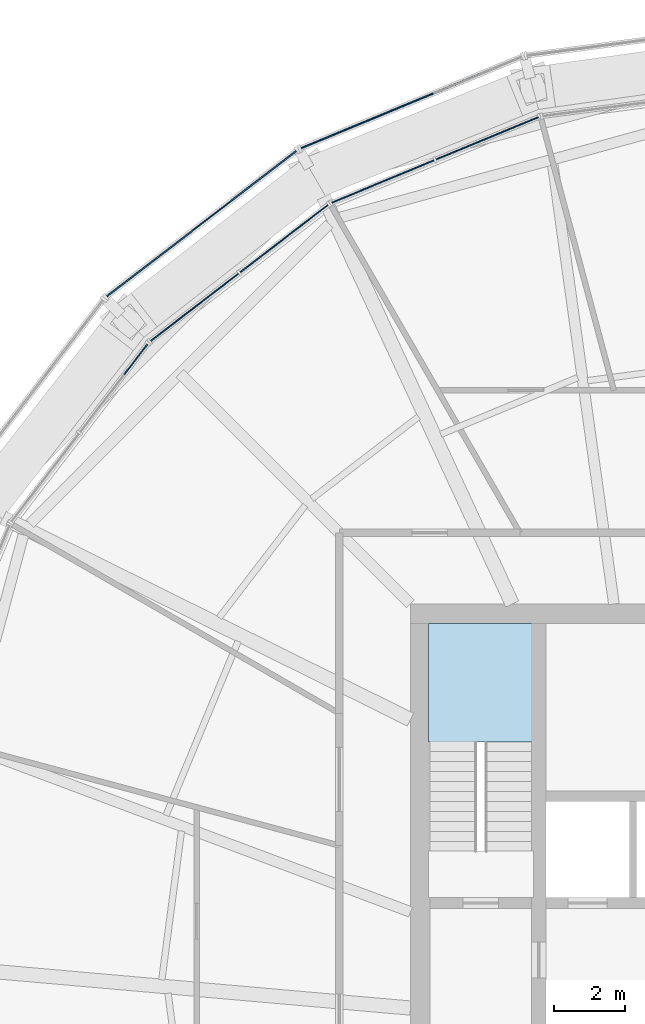
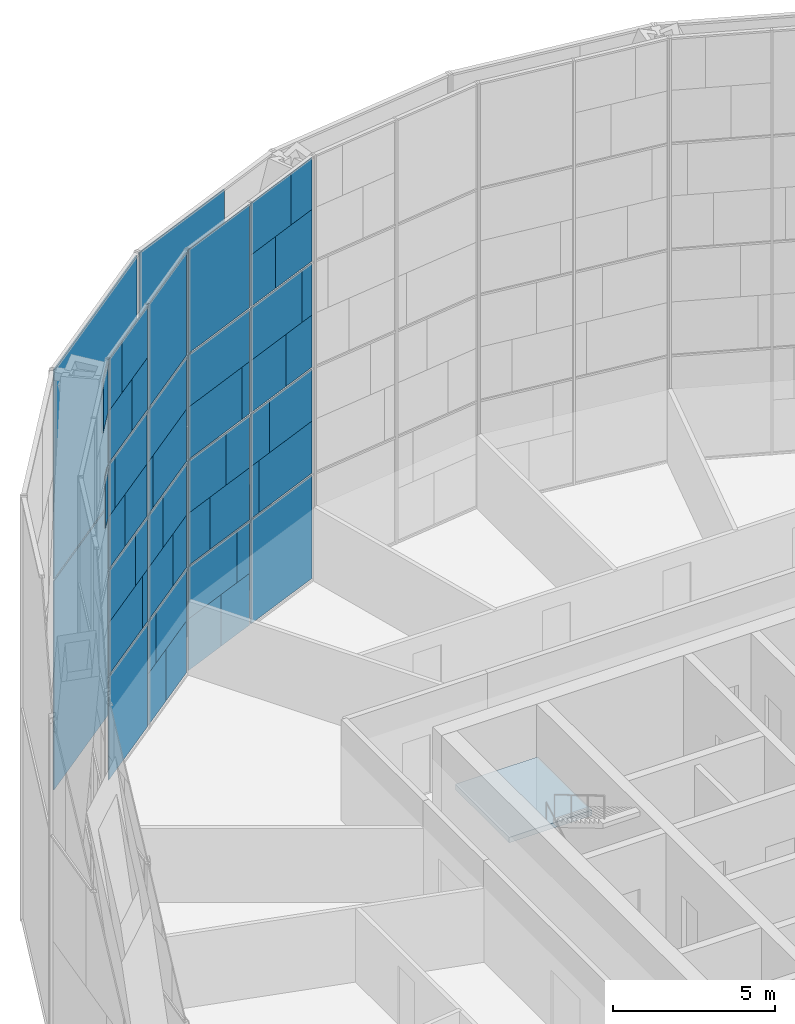
# One storey, part 22 of 29: 60 plates, 1 slab, 6 elements without a shape of their own.
"""IFC4 building model written with IfcOpenShell, lengths in metres."""

from ifc_helpers import new_model, si_unit, direction, frame, origin, origin_2d, place, context, subcontext, project, spatial, polyline, rectangle, outline, extrude, material, layer, layer_set, type_object, element, aggregate, save


model = new_model("IFC4")

# Units and contexts
model_context = context("Model", 3, precision=1e-05, world=origin(), true_north=direction((0.0, 1.0)))
body_context = subcontext(model_context, "Body", "Model", "MODEL_VIEW")
ifc_project = project(units=[si_unit("LENGTHUNIT", "METRE"), si_unit("AREAUNIT", "SQUARE_METRE"), si_unit("VOLUMEUNIT", "CUBIC_METRE"), si_unit("PLANEANGLEUNIT", "RADIAN"), si_unit("MASSUNIT", "GRAM", prefix="KILO")], contexts=[model_context])

# Site, building, storey
site_placement = place(None, origin())
site = spatial("IfcSite", under=ifc_project, at=site_placement, CompositionType="ELEMENT")
building_placement = place(site_placement, origin())
building = spatial("IfcBuilding", under=site, at=building_placement, Name="Golbaran Civic Tower", CompositionType="ELEMENT")
storey_placement = place(building_placement, frame((0.0, 0.0, 118.0)))
storey = spatial("IfcBuildingStorey", under=building, at=storey_placement, Name="L28", CompositionType="ELEMENT", Elevation=118.0)

# Curtain wall, plates
ifc_material_1 = material(Name="Aluminium and glass", Category="aluminium")
curtain_wall_type_1 = type_object("IfcCurtainWallType", Name="INNER SKIN CURTAIN WALL", PredefinedType="NOTDEFINED", material=ifc_material_1)
curtain_wall_1_placement = place(storey_placement, origin())
curtain_wall_1 = element("IfcCurtainWall", 1, at=curtain_wall_1_placement, inside=storey, type_object=curtain_wall_type_1, Name="Inner skin L28 facet 8 CW1", ObjectType="INNER SKIN", PredefinedType="USERDEFINED")
ifc_material_2 = material(Name="Clear insulating glass", Category="glass")
ifc_layer_1 = layer(ifc_material_2, 0.031982421875, Name="Clear insulating glass")
ifc_layer_set_1 = layer_set([ifc_layer_1], Name="Clear insulating glass")
plate_type_1 = type_object("IfcPlateType", Name="INNER SKIN CURTAIN WALL GLAZED PANEL", PredefinedType="CURTAIN_PANEL", material=ifc_layer_set_1)
plate_1_placement = place(storey_placement, frame((-7.84423828125, 23.0791015625, 0.06494140625), z_axis=(0.0, 0.0, 1.0), x_axis=(-0.923879532485, -0.38268343243, 0.0)))
plate_1 = element("IfcPlate", 2, at=plate_1_placement, type_object=plate_type_1, Name="CW1 panel 1.1", PredefinedType="CURTAIN_PANEL", context=body_context, shape_type="SweptSolid", body=[
    extrude(rectangle(XDim=3.104736328125, YDim=0.031982421875, at=origin_2d()), origin(), (0.0, 0.0, 1.0), 3.902587890625),
])
plate_2_placement = place(storey_placement, frame((-7.658447265625, 23.156005859375, 4.03271484375), z_axis=(0.0, 0.0, 1.0), x_axis=(-0.923879532485, -0.38268343243, 0.0)))
plate_2 = element("IfcPlate", 3, at=plate_2_placement, type_object=plate_type_1, Name="CW1 panel 1.2 part 1", PredefinedType="CURTAIN_PANEL", context=body_context, shape_type="SweptSolid", body=[
    extrude(rectangle(XDim=2.702880859375, YDim=0.031982421875, at=origin_2d()), origin(), (0.0, 0.0, 1.0), 1.967529296875),
])
plate_3_placement = place(storey_placement, frame((-7.410400390625, 23.2587890625, 6.0), z_axis=(0.0, 0.0, 1.0), x_axis=(-0.923879532485, -0.38268343243, 0.0)))
plate_3 = element("IfcPlate", 4, at=plate_3_placement, type_object=plate_type_1, Name="CW1 panel 1.2 part 3", PredefinedType="CURTAIN_PANEL", context=body_context, shape_type="SweptSolid", body=[
    extrude(rectangle(XDim=2.166015625, YDim=0.031982421875, at=origin_2d()), origin(), (0.0, 0.0, 1.0), 1.967529296875),
])
plate_4_placement = place(storey_placement, frame((-7.02197265625, 23.419677734375, 8.03271484375), z_axis=(0.0, 0.0, 1.0), x_axis=(-0.923879532485, -0.38268343243, 0.0)))
plate_4 = element("IfcPlate", 5, at=plate_4_placement, type_object=plate_type_1, Name="CW1 panel 1.3 part 1", PredefinedType="CURTAIN_PANEL", context=body_context, shape_type="SweptSolid", body=[
    extrude(rectangle(XDim=1.324951171875, YDim=0.031982421875, at=origin_2d()), origin(), (0.0, 0.0, 1.0), 1.967529296875),
])
plate_5_placement = place(storey_placement, frame((-6.6455078125, 23.57568359375, 10.0), z_axis=(0.0, 0.0, 1.0), x_axis=(-0.923879532485, -0.38268343243, 0.0)))
plate_5 = element("IfcPlate", 6, at=plate_5_placement, type_object=plate_type_1, Name="CW1 panel 1.3 part 3", PredefinedType="CURTAIN_PANEL", context=body_context, shape_type="SweptSolid", body=[
    extrude(rectangle(XDim=0.510009765625, YDim=0.031982421875, at=origin_2d()), origin(), (0.0, 0.0, 1.0), 1.967529296875),
])
plate_6_placement = place(storey_placement, frame((-8.70947265625, 22.720703125, 12.032470703125), z_axis=(0.0, 0.0, 1.0), x_axis=(-0.923879532485, -0.38268343243, 0.0)))
plate_6 = element("IfcPlate", 7, at=plate_6_placement, type_object=plate_type_1, Name="CW1 panel 1.4 part 2", PredefinedType="CURTAIN_PANEL", context=body_context, shape_type="SweptSolid", body=[
    extrude(rectangle(XDim=1.23193359375, YDim=0.031982421875, at=origin_2d()), origin(), (0.0, 0.0, 1.0), 1.951171875),
])
plate_7_placement = place(storey_placement, frame((-8.336181640625, 22.875244140625, 13.98388671875), z_axis=(0.0, 0.0, 1.0), x_axis=(-0.923879532485, -0.38268343243, 0.0)))
plate_7 = element("IfcPlate", 8, at=plate_7_placement, type_object=plate_type_1, Name="CW1 panel 1.4 part 4", PredefinedType="CURTAIN_PANEL", context=body_context, shape_type="SweptSolid", body=[
    extrude(rectangle(XDim=2.039794921875, YDim=0.031982421875, at=origin_2d()), origin(), (0.0, 0.0, 1.0), 1.951171875),
])
plate_8_placement = place(storey_placement, frame((-10.012451171875, 22.180908203125, 0.06494140625), z_axis=(0.0, 0.0, 1.0), x_axis=(-0.923879532485, -0.38268343243, 0.0)))
plate_8 = element("IfcPlate", 9, at=plate_8_placement, type_object=plate_type_1, Name="CW1 panel 2.1 part 1", PredefinedType="CURTAIN_PANEL", context=body_context, shape_type="SweptSolid", body=[
    extrude(rectangle(XDim=1.458984375, YDim=0.031982421875, at=origin_2d()), origin(), (0.0, 0.0, 1.0), 1.951171875),
])
plate_9_placement = place(storey_placement, frame((-9.63916015625, 22.33544921875, 2.016357421875), z_axis=(0.0, 0.0, 1.0), x_axis=(-0.923879532485, -0.38268343243, 0.0)))
plate_9 = element("IfcPlate", 10, at=plate_9_placement, type_object=plate_type_1, Name="CW1 panel 2.1 part 3", PredefinedType="CURTAIN_PANEL", context=body_context, shape_type="SweptSolid", body=[
    extrude(rectangle(XDim=0.65087890625, YDim=0.031982421875, at=origin_2d()), origin(), (0.0, 0.0, 1.0), 1.951171875),
])
plate_10_placement = place(storey_placement, frame((-11.703125, 21.480712890625, 4.03271484375), z_axis=(0.0, 0.0, 1.0), x_axis=(-0.923879532485, -0.38268343243, 0.0)))
plate_10 = element("IfcPlate", 11, at=plate_10_placement, type_object=plate_type_1, Name="CW1 panel 2.2 part 2", PredefinedType="CURTAIN_PANEL", context=body_context, shape_type="SweptSolid", body=[
    extrude(rectangle(XDim=1.0908203125, YDim=0.031982421875, at=origin_2d()), origin(), (0.0, 0.0, 1.0), 1.967529296875),
])
plate_11_placement = place(storey_placement, frame((-11.32666015625, 21.63671875, 6.0), z_axis=(0.0, 0.0, 1.0), x_axis=(-0.923879532485, -0.38268343243, 0.0)))
plate_11 = element("IfcPlate", 12, at=plate_11_placement, type_object=plate_type_1, Name="CW1 panel 2.2 part 4", PredefinedType="CURTAIN_PANEL", context=body_context, shape_type="SweptSolid", body=[
    extrude(rectangle(XDim=1.90576171875, YDim=0.031982421875, at=origin_2d()), origin(), (0.0, 0.0, 1.0), 1.967529296875),
])
plate_12_placement = place(storey_placement, frame((-10.95751953125, 21.78955078125, 8.03271484375), z_axis=(0.0, 0.0, 1.0), x_axis=(-0.923879532485, -0.38268343243, 0.0)))
plate_12 = element("IfcPlate", 13, at=plate_12_placement, type_object=plate_type_1, Name="CW1 panel 2.3 part 2", PredefinedType="CURTAIN_PANEL", context=body_context, shape_type="SweptSolid", body=[
    extrude(rectangle(XDim=2.704833984375, YDim=0.031982421875, at=origin_2d()), origin(), (0.0, 0.0, 1.0), 1.967529296875),
])
plate_13_placement = place(storey_placement, frame((-10.772705078125, 21.865966796875, 10.0), z_axis=(0.0, 0.0, 1.0), x_axis=(-0.923879532485, -0.38268343243, 0.0)))
plate_13 = element("IfcPlate", 14, at=plate_13_placement, type_object=plate_type_1, Name="CW1 panel 2.3 part 3", PredefinedType="CURTAIN_PANEL", context=body_context, shape_type="SweptSolid", body=[
    extrude(rectangle(XDim=3.104736328125, YDim=0.031982421875, at=origin_2d()), origin(), (0.0, 0.0, 1.0), 1.967529296875),
])
plate_14_placement = place(storey_placement, frame((-10.772705078125, 21.865966796875, 12.0322265625), z_axis=(0.0, 0.0, 1.0), x_axis=(-0.923879532485, -0.38268343243, 0.0)))
plate_14 = element("IfcPlate", 15, at=plate_14_placement, type_object=plate_type_1, Name="CW1 panel 2.4", PredefinedType="CURTAIN_PANEL", context=body_context, shape_type="SweptSolid", body=[
    extrude(rectangle(XDim=3.104736328125, YDim=0.031982421875, at=origin_2d()), origin(), (0.0, 0.0, 1.0), 3.902587890625),
])

curtain_wall_2_placement = place(storey_placement, origin())
curtain_wall_2 = element("IfcCurtainWall", 16, at=curtain_wall_2_placement, inside=storey, type_object=curtain_wall_type_1, Name="Inner skin L28 facet 9 CW1", ObjectType="INNER SKIN", PredefinedType="USERDEFINED")
plate_15_placement = place(storey_placement, frame((-14.203125, 19.761474609375, 0.06494140625), z_axis=(0.0, 0.0, 1.0), x_axis=(-0.793353340376, -0.608761428898, 0.0)))
plate_15 = element("IfcPlate", 17, at=plate_15_placement, type_object=plate_type_1, Name="CW1 panel 1.1 part 2", PredefinedType="CURTAIN_PANEL", context=body_context, shape_type="SweptSolid", body=[
    extrude(rectangle(XDim=1.458740234375, YDim=0.031982421875, at=origin_2d()), origin(), (0.0, 0.0, 1.0), 1.951171875),
])
plate_16_placement = place(storey_placement, frame((-14.523193359375, 19.515869140625, 2.016357421875), z_axis=(0.0, 0.0, 1.0), x_axis=(-0.793353340376, -0.608761428898, 0.0)))
plate_16 = element("IfcPlate", 18, at=plate_16_placement, type_object=plate_type_1, Name="CW1 panel 1.1 part 4", PredefinedType="CURTAIN_PANEL", context=body_context, shape_type="SweptSolid", body=[
    extrude(rectangle(XDim=0.65185546875, YDim=0.031982421875, at=origin_2d()), origin(), (0.0, 0.0, 1.0), 1.951171875),
])
plate_17_placement = place(storey_placement, frame((-12.751220703125, 20.87548828125, 4.03271484375), z_axis=(0.0, 0.0, 1.0), x_axis=(-0.793353340376, -0.608761428898, 0.0)))
plate_17 = element("IfcPlate", 19, at=plate_17_placement, type_object=plate_type_1, Name="CW1 panel 1.2 part 1", PredefinedType="CURTAIN_PANEL", context=body_context, shape_type="SweptSolid", body=[
    extrude(rectangle(XDim=1.091064453125, YDim=0.031982421875, at=origin_2d()), origin(), (0.0, 0.0, 1.0), 1.967529296875),
])
plate_18_placement = place(storey_placement, frame((-13.07421875, 20.627685546875, 6.0), z_axis=(0.0, 0.0, 1.0), x_axis=(-0.793353340376, -0.608761428898, 0.0)))
plate_18 = element("IfcPlate", 20, at=plate_18_placement, type_object=plate_type_1, Name="CW1 panel 1.2 part 3", PredefinedType="CURTAIN_PANEL", context=body_context, shape_type="SweptSolid", body=[
    extrude(rectangle(XDim=1.905029296875, YDim=0.031982421875, at=origin_2d()), origin(), (0.0, 0.0, 1.0), 1.967529296875),
])
plate_19_placement = place(storey_placement, frame((-13.390869140625, 20.384765625, 8.03271484375), z_axis=(0.0, 0.0, 1.0), x_axis=(-0.793353340376, -0.608761428898, 0.0)))
plate_19 = element("IfcPlate", 21, at=plate_19_placement, type_object=plate_type_1, Name="CW1 panel 1.3 part 1", PredefinedType="CURTAIN_PANEL", context=body_context, shape_type="SweptSolid", body=[
    extrude(rectangle(XDim=2.702880859375, YDim=0.031982421875, at=origin_2d()), origin(), (0.0, 0.0, 1.0), 1.967529296875),
])
plate_20_placement = place(storey_placement, frame((-13.55029296875, 20.262451171875, 10.0), z_axis=(0.0, 0.0, 1.0), x_axis=(-0.793353340376, -0.608761428898, 0.0)))
plate_20 = element("IfcPlate", 22, at=plate_20_placement, type_object=plate_type_1, Name="CW1 panel 1.3 part 3", PredefinedType="CURTAIN_PANEL", context=body_context, shape_type="SweptSolid", body=[
    extrude(rectangle(XDim=3.104736328125, YDim=0.031982421875, at=origin_2d()), origin(), (0.0, 0.0, 1.0), 1.967529296875),
])
plate_21_placement = place(storey_placement, frame((-13.55029296875, 20.262451171875, 12.0322265625), z_axis=(0.0, 0.0, 1.0), x_axis=(-0.793353340376, -0.608761428898, 0.0)))
plate_21 = element("IfcPlate", 23, at=plate_21_placement, type_object=plate_type_1, Name="CW1 panel 1.4", PredefinedType="CURTAIN_PANEL", context=body_context, shape_type="SweptSolid", body=[
    extrude(rectangle(XDim=3.104736328125, YDim=0.031982421875, at=origin_2d()), origin(), (0.0, 0.0, 1.0), 3.902587890625),
])
plate_22_placement = place(storey_placement, frame((-16.06494140625, 18.332763671875, 0.06494140625), z_axis=(0.0, 0.0, 1.0), x_axis=(-0.793353340376, -0.608761428898, 0.0)))
plate_22 = element("IfcPlate", 24, at=plate_22_placement, type_object=plate_type_1, Name="CW1 panel 2.1", PredefinedType="CURTAIN_PANEL", context=body_context, shape_type="SweptSolid", body=[
    extrude(rectangle(XDim=3.104736328125, YDim=0.031982421875, at=origin_2d()), origin(), (0.0, 0.0, 1.0), 3.902587890625),
])
plate_23_placement = place(storey_placement, frame((-16.22412109375, 18.210693359375, 4.03271484375), z_axis=(0.0, 0.0, 1.0), x_axis=(-0.793353340376, -0.608761428898, 0.0)))
plate_23 = element("IfcPlate", 25, at=plate_23_placement, type_object=plate_type_1, Name="CW1 panel 2.2 part 2", PredefinedType="CURTAIN_PANEL", context=body_context, shape_type="SweptSolid", body=[
    extrude(rectangle(XDim=2.703857421875, YDim=0.031982421875, at=origin_2d()), origin(), (0.0, 0.0, 1.0), 1.967529296875),
])
plate_24_placement = place(storey_placement, frame((-16.4375, 18.046875, 6.0), z_axis=(0.0, 0.0, 1.0), x_axis=(-0.793353340376, -0.608761428898, 0.0)))
plate_24 = element("IfcPlate", 26, at=plate_24_placement, type_object=plate_type_1, Name="CW1 panel 2.2 part 4", PredefinedType="CURTAIN_PANEL", context=body_context, shape_type="SweptSolid", body=[
    extrude(rectangle(XDim=2.165771484375, YDim=0.031982421875, at=origin_2d()), origin(), (0.0, 0.0, 1.0), 1.967529296875),
])
plate_25_placement = place(storey_placement, frame((-16.77099609375, 17.791015625, 8.03271484375), z_axis=(0.0, 0.0, 1.0), x_axis=(-0.793353340376, -0.608761428898, 0.0)))
plate_25 = element("IfcPlate", 27, at=plate_25_placement, type_object=plate_type_1, Name="CW1 panel 2.3 part 2", PredefinedType="CURTAIN_PANEL", context=body_context, shape_type="SweptSolid", body=[
    extrude(rectangle(XDim=1.324951171875, YDim=0.031982421875, at=origin_2d()), origin(), (0.0, 0.0, 1.0), 1.967529296875),
])
plate_26_placement = place(storey_placement, frame((-17.09423828125, 17.54296875, 10.0), z_axis=(0.0, 0.0, 1.0), x_axis=(-0.793353340376, -0.608761428898, 0.0)))
plate_26 = element("IfcPlate", 28, at=plate_26_placement, type_object=plate_type_1, Name="CW1 panel 2.3 part 4", PredefinedType="CURTAIN_PANEL", context=body_context, shape_type="SweptSolid", body=[
    extrude(rectangle(XDim=0.509765625, YDim=0.031982421875, at=origin_2d()), origin(), (0.0, 0.0, 1.0), 1.967529296875),
])
plate_27_placement = place(storey_placement, frame((-15.322021484375, 18.90283203125, 12.032470703125), z_axis=(0.0, 0.0, 1.0), x_axis=(-0.793353340376, -0.608761428898, 0.0)))
plate_27 = element("IfcPlate", 29, at=plate_27_placement, type_object=plate_type_1, Name="CW1 panel 2.4 part 1", PredefinedType="CURTAIN_PANEL", context=body_context, shape_type="SweptSolid", body=[
    extrude(rectangle(XDim=1.23193359375, YDim=0.031982421875, at=origin_2d()), origin(), (0.0, 0.0, 1.0), 1.951171875),
])
plate_28_placement = place(storey_placement, frame((-15.642578125, 18.656982421875, 13.98388671875), z_axis=(0.0, 0.0, 1.0), x_axis=(-0.793353340376, -0.608761428898, 0.0)))
plate_28 = element("IfcPlate", 30, at=plate_28_placement, type_object=plate_type_1, Name="CW1 panel 2.4 part 3", PredefinedType="CURTAIN_PANEL", context=body_context, shape_type="SweptSolid", body=[
    extrude(rectangle(XDim=2.0400390625, YDim=0.031982421875, at=origin_2d()), origin(), (0.0, 0.0, 1.0), 1.951171875),
])

# Curtain wall, plate
curtain_wall_3_placement = place(storey_placement, origin())
curtain_wall_3 = element("IfcCurtainWall", 31, at=curtain_wall_3_placement, inside=storey, type_object=curtain_wall_type_1, Name="Inner skin L28 facet 10 CW1", ObjectType="INNER SKIN", PredefinedType="USERDEFINED")
plate_29_placement = place(storey_placement, frame((-17.54296875, 17.09423828125, 10.0), z_axis=(0.0, 0.0, 1.0), x_axis=(-0.608761428898, -0.793353340376, 0.0)))
plate_29 = element("IfcPlate", 32, at=plate_29_placement, type_object=plate_type_1, Name="CW1 panel 1.3 part 3", PredefinedType="CURTAIN_PANEL", context=body_context, shape_type="SweptSolid", body=[
    extrude(rectangle(XDim=0.510009765625, YDim=0.031982421875, at=origin_2d()), origin(), (0.0, 0.0, 1.0), 1.967529296875),
])

# Plate
ifc_material_3 = material(Name="Aluminium faced opaque infill panel", Category="aluminium")
ifc_layer_2 = layer(ifc_material_3, 0.031982421875, Name="Aluminium faced opaque infill panel")
ifc_layer_set_2 = layer_set([ifc_layer_2], Name="Aluminium faced opaque infill panel")
plate_type_2 = type_object("IfcPlateType", Name="INNER SKIN CURTAIN WALL OPAQUE INFILL PANEL", PredefinedType="CURTAIN_PANEL", material=ifc_layer_set_2)
plate_30_placement = place(storey_placement, frame((-9.0927734375, 22.561767578125, 4.03271484375), z_axis=(0.0, 0.0, 1.0), x_axis=(-0.923879532485, -0.38268343243, 0.0)))
plate_30 = element("IfcPlate", 33, at=plate_30_placement, type_object=plate_type_2, Name="CW1 infill panel 1.2 part 2", PredefinedType="CURTAIN_PANEL", context=body_context, shape_type="SweptSolid", body=[
    extrude(rectangle(XDim=0.40185546875, YDim=0.031982421875, at=origin_2d()), origin(), (0.0, 0.0, 1.0), 1.967529296875),
])

plate_31_placement = place(storey_placement, frame((-8.8447265625, 22.66455078125, 6.0), z_axis=(0.0, 0.0, 1.0), x_axis=(-0.923879532485, -0.38268343243, 0.0)))
plate_31 = element("IfcPlate", 34, at=plate_31_placement, type_object=plate_type_2, Name="CW1 infill panel 1.2 part 4", PredefinedType="CURTAIN_PANEL", context=body_context, shape_type="SweptSolid", body=[
    extrude(rectangle(XDim=0.938720703125, YDim=0.031982421875, at=origin_2d()), origin(), (0.0, 0.0, 1.0), 1.967529296875),
])

plate_32_placement = place(storey_placement, frame((-8.456298828125, 22.825439453125, 8.03271484375), z_axis=(0.0, 0.0, 1.0), x_axis=(-0.923879532485, -0.38268343243, 0.0)))
plate_32 = element("IfcPlate", 35, at=plate_32_placement, type_object=plate_type_2, Name="CW1 infill panel 1.3 part 2", PredefinedType="CURTAIN_PANEL", context=body_context, shape_type="SweptSolid", body=[
    extrude(rectangle(XDim=1.77978515625, YDim=0.031982421875, at=origin_2d()), origin(), (0.0, 0.0, 1.0), 1.967529296875),
])

plate_33_placement = place(storey_placement, frame((-8.079833984375, 22.9814453125, 10.0), z_axis=(0.0, 0.0, 1.0), x_axis=(-0.923879532485, -0.38268343243, 0.0)))
plate_33 = element("IfcPlate", 36, at=plate_33_placement, type_object=plate_type_2, Name="CW1 infill panel 1.3 part 4", PredefinedType="CURTAIN_PANEL", context=body_context, shape_type="SweptSolid", body=[
    extrude(rectangle(XDim=2.5947265625, YDim=0.031982421875, at=origin_2d()), origin(), (0.0, 0.0, 1.0), 1.967529296875),
])

plate_34_placement = place(storey_placement, frame((-7.275146484375, 23.314697265625, 12.032470703125), z_axis=(0.0, 0.0, 1.0), x_axis=(-0.923879532485, -0.38268343243, 0.0)))
plate_34 = element("IfcPlate", 37, at=plate_34_placement, type_object=plate_type_2, Name="CW1 infill panel 1.4 part 1", PredefinedType="CURTAIN_PANEL", context=body_context, shape_type="SweptSolid", body=[
    extrude(rectangle(XDim=1.873046875, YDim=0.031982421875, at=origin_2d()), origin(), (0.0, 0.0, 1.0), 1.951171875),
])

plate_35_placement = place(storey_placement, frame((-6.90185546875, 23.469482421875, 13.98388671875), z_axis=(0.0, 0.0, 1.0), x_axis=(-0.923879532485, -0.38268343243, 0.0)))
plate_35 = element("IfcPlate", 38, at=plate_35_placement, type_object=plate_type_2, Name="CW1 infill panel 1.4 part 3", PredefinedType="CURTAIN_PANEL", context=body_context, shape_type="SweptSolid", body=[
    extrude(rectangle(XDim=1.06494140625, YDim=0.031982421875, at=origin_2d()), origin(), (0.0, 0.0, 1.0), 1.951171875),
])

plate_36_placement = place(storey_placement, frame((-11.44677734375, 21.5869140625, 0.06494140625), z_axis=(0.0, 0.0, 1.0), x_axis=(-0.923879532485, -0.38268343243, 0.0)))
plate_36 = element("IfcPlate", 39, at=plate_36_placement, type_object=plate_type_2, Name="CW1 infill panel 2.1 part 2", PredefinedType="CURTAIN_PANEL", context=body_context, shape_type="SweptSolid", body=[
    extrude(rectangle(XDim=1.645751953125, YDim=0.031982421875, at=origin_2d()), origin(), (0.0, 0.0, 1.0), 1.951171875),
])

plate_37_placement = place(storey_placement, frame((-11.073486328125, 21.741455078125, 2.016357421875), z_axis=(0.0, 0.0, 1.0), x_axis=(-0.923879532485, -0.38268343243, 0.0)))
plate_37 = element("IfcPlate", 40, at=plate_37_placement, type_object=plate_type_2, Name="CW1 infill panel 2.1 part 4", PredefinedType="CURTAIN_PANEL", context=body_context, shape_type="SweptSolid", body=[
    extrude(rectangle(XDim=2.453857421875, YDim=0.031982421875, at=origin_2d()), origin(), (0.0, 0.0, 1.0), 1.951171875),
])

plate_38_placement = place(storey_placement, frame((-10.268798828125, 22.07470703125, 4.03271484375), z_axis=(0.0, 0.0, 1.0), x_axis=(-0.923879532485, -0.38268343243, 0.0)))
plate_38 = element("IfcPlate", 41, at=plate_38_placement, type_object=plate_type_2, Name="CW1 infill panel 2.2 part 1", PredefinedType="CURTAIN_PANEL", context=body_context, shape_type="SweptSolid", body=[
    extrude(rectangle(XDim=2.013916015625, YDim=0.031982421875, at=origin_2d()), origin(), (0.0, 0.0, 1.0), 1.967529296875),
])

plate_39_placement = place(storey_placement, frame((-9.892333984375, 22.230712890625, 6.0), z_axis=(0.0, 0.0, 1.0), x_axis=(-0.923879532485, -0.38268343243, 0.0)))
plate_39 = element("IfcPlate", 42, at=plate_39_placement, type_object=plate_type_2, Name="CW1 infill panel 2.2 part 3", PredefinedType="CURTAIN_PANEL", context=body_context, shape_type="SweptSolid", body=[
    extrude(rectangle(XDim=1.198974609375, YDim=0.031982421875, at=origin_2d()), origin(), (0.0, 0.0, 1.0), 1.967529296875),
])

plate_40_placement = place(storey_placement, frame((-9.523193359375, 22.383544921875, 8.03271484375), z_axis=(0.0, 0.0, 1.0), x_axis=(-0.923879532485, -0.38268343243, 0.0)))
plate_40 = element("IfcPlate", 43, at=plate_40_placement, type_object=plate_type_2, Name="CW1 infill panel 2.3 part 1", PredefinedType="CURTAIN_PANEL", context=body_context, shape_type="SweptSolid", body=[
    extrude(rectangle(XDim=0.39990234375, YDim=0.031982421875, at=origin_2d()), origin(), (0.0, 0.0, 1.0), 1.967529296875),
])

aggregate(curtain_wall_1, [plate_1, plate_2, plate_30, plate_3, plate_31, plate_4, plate_32, plate_5, plate_33, plate_34, plate_6, plate_35, plate_7, plate_8, plate_36, plate_9, plate_37, plate_38, plate_10, plate_39, plate_11, plate_40, plate_12, plate_13, plate_14])

plate_41_placement = place(storey_placement, frame((-12.971435546875, 20.70654296875, 0.06494140625), z_axis=(0.0, 0.0, 1.0), x_axis=(-0.793353340376, -0.608761428898, 0.0)))
plate_41 = element("IfcPlate", 44, at=plate_41_placement, type_object=plate_type_2, Name="CW1 infill panel 1.1 part 1", PredefinedType="CURTAIN_PANEL", context=body_context, shape_type="SweptSolid", body=[
    extrude(rectangle(XDim=1.64599609375, YDim=0.031982421875, at=origin_2d()), origin(), (0.0, 0.0, 1.0), 1.951171875),
])

plate_42_placement = place(storey_placement, frame((-13.29150390625, 20.4609375, 2.016357421875), z_axis=(0.0, 0.0, 1.0), x_axis=(-0.793353340376, -0.608761428898, 0.0)))
plate_42 = element("IfcPlate", 45, at=plate_42_placement, type_object=plate_type_2, Name="CW1 infill panel 1.1 part 3", PredefinedType="CURTAIN_PANEL", context=body_context, shape_type="SweptSolid", body=[
    extrude(rectangle(XDim=2.452880859375, YDim=0.031982421875, at=origin_2d()), origin(), (0.0, 0.0, 1.0), 1.951171875),
])

plate_43_placement = place(storey_placement, frame((-13.98291015625, 19.930419921875, 4.03271484375), z_axis=(0.0, 0.0, 1.0), x_axis=(-0.793353340376, -0.608761428898, 0.0)))
plate_43 = element("IfcPlate", 46, at=plate_43_placement, type_object=plate_type_2, Name="CW1 infill panel 1.2 part 2", PredefinedType="CURTAIN_PANEL", context=body_context, shape_type="SweptSolid", body=[
    extrude(rectangle(XDim=2.013916015625, YDim=0.031982421875, at=origin_2d()), origin(), (0.0, 0.0, 1.0), 1.967529296875),
])

plate_44_placement = place(storey_placement, frame((-14.305908203125, 19.6826171875, 6.0), z_axis=(0.0, 0.0, 1.0), x_axis=(-0.793353340376, -0.608761428898, 0.0)))
plate_44 = element("IfcPlate", 47, at=plate_44_placement, type_object=plate_type_2, Name="CW1 infill panel 1.2 part 4", PredefinedType="CURTAIN_PANEL", context=body_context, shape_type="SweptSolid", body=[
    extrude(rectangle(XDim=1.199951171875, YDim=0.031982421875, at=origin_2d()), origin(), (0.0, 0.0, 1.0), 1.967529296875),
])

plate_45_placement = place(storey_placement, frame((-14.622314453125, 19.439697265625, 8.03271484375), z_axis=(0.0, 0.0, 1.0), x_axis=(-0.793353340376, -0.608761428898, 0.0)))
plate_45 = element("IfcPlate", 48, at=plate_45_placement, type_object=plate_type_2, Name="CW1 infill panel 1.3 part 2", PredefinedType="CURTAIN_PANEL", context=body_context, shape_type="SweptSolid", body=[
    extrude(rectangle(XDim=0.40185546875, YDim=0.031982421875, at=origin_2d()), origin(), (0.0, 0.0, 1.0), 1.967529296875),
])

plate_46_placement = place(storey_placement, frame((-14.992431640625, 19.15576171875, 4.03271484375), z_axis=(0.0, 0.0, 1.0), x_axis=(-0.793353340376, -0.608761428898, 0.0)))
plate_46 = element("IfcPlate", 49, at=plate_46_placement, type_object=plate_type_2, Name="CW1 infill panel 2.2 part 1", PredefinedType="CURTAIN_PANEL", context=body_context, shape_type="SweptSolid", body=[
    extrude(rectangle(XDim=0.40087890625, YDim=0.031982421875, at=origin_2d()), origin(), (0.0, 0.0, 1.0), 1.967529296875),
])

plate_47_placement = place(storey_placement, frame((-15.205810546875, 18.991943359375, 6.0), z_axis=(0.0, 0.0, 1.0), x_axis=(-0.793353340376, -0.608761428898, 0.0)))
plate_47 = element("IfcPlate", 50, at=plate_47_placement, type_object=plate_type_2, Name="CW1 infill panel 2.2 part 3", PredefinedType="CURTAIN_PANEL", context=body_context, shape_type="SweptSolid", body=[
    extrude(rectangle(XDim=0.93896484375, YDim=0.031982421875, at=origin_2d()), origin(), (0.0, 0.0, 1.0), 1.967529296875),
])

plate_48_placement = place(storey_placement, frame((-15.53955078125, 18.736083984375, 8.03271484375), z_axis=(0.0, 0.0, 1.0), x_axis=(-0.793353340376, -0.608761428898, 0.0)))
plate_48 = element("IfcPlate", 51, at=plate_48_placement, type_object=plate_type_2, Name="CW1 infill panel 2.3 part 1", PredefinedType="CURTAIN_PANEL", context=body_context, shape_type="SweptSolid", body=[
    extrude(rectangle(XDim=1.780029296875, YDim=0.031982421875, at=origin_2d()), origin(), (0.0, 0.0, 1.0), 1.967529296875),
])

plate_49_placement = place(storey_placement, frame((-15.86279296875, 18.488037109375, 10.0), z_axis=(0.0, 0.0, 1.0), x_axis=(-0.793353340376, -0.608761428898, 0.0)))
plate_49 = element("IfcPlate", 52, at=plate_49_placement, type_object=plate_type_2, Name="CW1 infill panel 2.3 part 3", PredefinedType="CURTAIN_PANEL", context=body_context, shape_type="SweptSolid", body=[
    extrude(rectangle(XDim=2.594970703125, YDim=0.031982421875, at=origin_2d()), origin(), (0.0, 0.0, 1.0), 1.967529296875),
])

plate_50_placement = place(storey_placement, frame((-16.5537109375, 17.957763671875, 12.032470703125), z_axis=(0.0, 0.0, 1.0), x_axis=(-0.793353340376, -0.608761428898, 0.0)))
plate_50 = element("IfcPlate", 53, at=plate_50_placement, type_object=plate_type_2, Name="CW1 infill panel 2.4 part 2", PredefinedType="CURTAIN_PANEL", context=body_context, shape_type="SweptSolid", body=[
    extrude(rectangle(XDim=1.872802734375, YDim=0.031982421875, at=origin_2d()), origin(), (0.0, 0.0, 1.0), 1.951171875),
])

plate_51_placement = place(storey_placement, frame((-16.874267578125, 17.7119140625, 13.98388671875), z_axis=(0.0, 0.0, 1.0), x_axis=(-0.793353340376, -0.608761428898, 0.0)))
plate_51 = element("IfcPlate", 54, at=plate_51_placement, type_object=plate_type_2, Name="CW1 infill panel 2.4 part 4", PredefinedType="CURTAIN_PANEL", context=body_context, shape_type="SweptSolid", body=[
    extrude(rectangle(XDim=1.06494140625, YDim=0.031982421875, at=origin_2d()), origin(), (0.0, 0.0, 1.0), 1.951171875),
])

aggregate(curtain_wall_2, [plate_41, plate_15, plate_42, plate_16, plate_17, plate_43, plate_18, plate_44, plate_19, plate_45, plate_20, plate_21, plate_22, plate_46, plate_23, plate_47, plate_24, plate_48, plate_25, plate_49, plate_26, plate_27, plate_50, plate_28, plate_51])

plate_52_placement = place(storey_placement, frame((-17.7119140625, 16.8740234375, 13.98388671875), z_axis=(0.0, 0.0, 1.0), x_axis=(-0.608761428898, -0.793353340376, 0.0)))
plate_52 = element("IfcPlate", 55, at=plate_52_placement, type_object=plate_type_2, Name="CW1 infill panel 1.4 part 3", PredefinedType="CURTAIN_PANEL", context=body_context, shape_type="SweptSolid", body=[
    extrude(rectangle(XDim=1.06494140625, YDim=0.031982421875, at=origin_2d()), origin(), (0.0, 0.0, 1.0), 1.951171875),
])

aggregate(curtain_wall_3, [plate_29, plate_52])

# Curtain wall, plates
curtain_wall_type_2 = type_object("IfcCurtainWallType", Name="OUTER SKIN TERRACOTTA SCREEN", PredefinedType="NOTDEFINED", material=ifc_material_1)
curtain_wall_4_placement = place(storey_placement, origin())
curtain_wall_4 = element("IfcCurtainWall", 56, at=curtain_wall_4_placement, inside=storey, type_object=curtain_wall_type_2, Name="Outer skin L28 facet 8 CW3", ObjectType="OUTER SKIN", PredefinedType="USERDEFINED")
ifc_material_4 = material(Name="Clear laminated glass", Category="glass")
ifc_layer_3 = layer(ifc_material_4, 0.0400390625, Name="Clear laminated glass")
ifc_layer_set_3 = layer_set([ifc_layer_3], Name="Clear laminated glass")
plate_type_3 = type_object("IfcPlateType", Name="OUTER SKIN CLEAR GLASS PANEL", PredefinedType="CURTAIN_PANEL", material=ifc_layer_set_3)
plate_53_placement = place(storey_placement, frame((-8.869140625, 24.542236328125, -0.6298828125), z_axis=(0.0, 0.0, 1.0), x_axis=(-0.923879532505, -0.382683432381, 0.0)))
plate_53 = element("IfcPlate", 57, at=plate_53_placement, type_object=plate_type_3, Name="CW3 panel 1.1 part 1", PredefinedType="CURTAIN_PANEL", context=body_context, shape_type="SweptSolid", body=[
    extrude(rectangle(XDim=4.30810546875, YDim=0.0400390625, at=origin_2d()), origin(), (0.0, 0.0, 1.0), 3.93994140625),
])
plate_54_placement = place(storey_placement, frame((-12.607421875, 22.99365234375, 3.31005859375), z_axis=(0.0, 0.0, 1.0), x_axis=(-0.923879532505, -0.382683432381, 0.0)))
plate_54 = element("IfcPlate", 58, at=plate_54_placement, type_object=plate_type_3, Name="CW3 panel 1.1 part 5", PredefinedType="CURTAIN_PANEL", context=body_context, shape_type="SweptSolid", body=[
    extrude(rectangle(XDim=1.0068359375, YDim=0.0400390625, at=origin_2d()), origin(), (0.0, 0.0, 1.0), 3.93994140625),
])
plate_55_placement = place(storey_placement, frame((-11.8388671875, 23.31201171875, 7.330078125), z_axis=(0.0, 0.0, 1.0), x_axis=(-0.923879532505, -0.382683432381, 0.0)))
plate_55 = element("IfcPlate", 59, at=plate_55_placement, type_object=plate_type_3, Name="CW3 panel 1.2 part 3", PredefinedType="CURTAIN_PANEL", context=body_context, shape_type="SweptSolid", body=[
    extrude(rectangle(XDim=2.6708984375, YDim=0.0400390625, at=origin_2d()), origin(), (0.0, 0.0, 1.0), 3.93994140625),
])
plate_56_placement = place(storey_placement, frame((-11.0859375, 23.6240234375, 11.27001953125), z_axis=(0.0, 0.0, 1.0), x_axis=(-0.923879532505, -0.382683432381, 0.0)))
plate_56 = element("IfcPlate", 60, at=plate_56_placement, type_object=plate_type_3, Name="CW3 panel 1.2 part 5", PredefinedType="CURTAIN_PANEL", context=body_context, shape_type="SweptSolid", body=[
    extrude(rectangle(XDim=4.30078125, YDim=0.0400390625, at=origin_2d()), origin(), (0.0, 0.0, 1.0), 3.93994140625),
])
ifc_material_5 = material(Name="Terracotta baguette screen", Category="masonry")
ifc_layer_4 = layer(ifc_material_5, 0.0400390625, Name="Terracotta baguette screen")
ifc_layer_set_4 = layer_set([ifc_layer_4], Name="Terracotta baguette screen")
plate_type_4 = type_object("IfcPlateType", Name="OUTER SKIN TERRACOTTA INFILL PANEL", PredefinedType="CURTAIN_PANEL", material=ifc_layer_set_4)
plate_57_placement = place(storey_placement, frame((-11.9658203125, 23.259521484375, -0.6298828125), z_axis=(0.0, 0.0, 1.0), x_axis=(-0.923879532505, -0.382683432381, 0.0)))
plate_57 = element("IfcPlate", 61, at=plate_57_placement, type_object=plate_type_4, Name="CW3 infill panel 1.1 part 2", PredefinedType="CURTAIN_PANEL", context=body_context, shape_type="SweptSolid", body=[
    extrude(rectangle(XDim=2.395751953125, YDim=0.0400390625, at=origin_2d()), origin(), (0.0, 0.0, 1.0), 3.93994140625),
])
plate_58_placement = place(storey_placement, frame((-10.747314453125, 23.76416015625, 3.31005859375), z_axis=(0.0, 0.0, 1.0), x_axis=(-0.923879532505, -0.382683432381, 0.0)))
plate_58 = element("IfcPlate", 62, at=plate_58_placement, type_object=plate_type_4, Name="CW3 infill panel 1.1 part 4", PredefinedType="CURTAIN_PANEL", context=body_context, shape_type="SweptSolid", body=[
    extrude(rectangle(XDim=3.02001953125, YDim=0.0400390625, at=origin_2d()), origin(), (0.0, 0.0, 1.0), 3.93994140625),
])
aggregate(curtain_wall_4, [plate_53, plate_57, plate_58, plate_54, plate_55, plate_56])

curtain_wall_5_placement = place(storey_placement, origin())
curtain_wall_5 = element("IfcCurtainWall", 63, at=curtain_wall_5_placement, inside=storey, type_object=curtain_wall_type_2, Name="Outer skin L28 facet 9 CW3", ObjectType="OUTER SKIN", PredefinedType="USERDEFINED")
ifc_layer_5 = layer(ifc_material_5, 0.0400390625, Name="Terracotta baguette screen")
ifc_layer_set_5 = layer_set([ifc_layer_5], Name="Terracotta baguette screen")
plate_type_5 = type_object("IfcPlateType", Name="OUTER SKIN TERRACOTTA SCREEN PANEL", PredefinedType="CURTAIN_PANEL", material=ifc_layer_set_5)
plate_59_placement = place(storey_placement, frame((-15.869140625, 20.68115234375, -0.6298828125), z_axis=(0.0, 0.0, 1.0), x_axis=(-0.793353340302, -0.608761428995, 0.0)))
plate_59 = element("IfcPlate", 64, at=plate_59_placement, type_object=plate_type_5, Name="CW3 terracotta screen panel 1.1", PredefinedType="CURTAIN_PANEL", context=body_context, shape_type="SweptSolid", body=[
    extrude(rectangle(XDim=6.703857421875, YDim=0.0400390625, at=origin_2d()), origin(), (0.0, 0.0, 1.0), 7.8798828125),
])
plate_60_placement = place(storey_placement, frame((-15.869140625, 20.68115234375, 7.330078125), z_axis=(0.0, 0.0, 1.0), x_axis=(-0.793353340302, -0.608761428995, 0.0)))
plate_60 = element("IfcPlate", 65, at=plate_60_placement, type_object=plate_type_5, Name="CW3 terracotta screen panel 1.2", PredefinedType="CURTAIN_PANEL", context=body_context, shape_type="SweptSolid", body=[
    extrude(rectangle(XDim=6.703857421875, YDim=0.0400390625, at=origin_2d()), origin(), (0.0, 0.0, 1.0), 7.8798828125),
])
aggregate(curtain_wall_5, [plate_59, plate_60])

# Stair, slab
ifc_material_6 = material(Name="Concrete C35/45", Category="concrete")
stair_type = type_object("IfcStairType", Name="EXIT STAIR 2850 x 7700, 4000 RISE", PredefinedType="HALF_TURN_STAIR", material=ifc_material_6)
stair_placement = place(storey_placement, origin())
stair = element("IfcStair", 66, at=stair_placement, inside=storey, type_object=stair_type, Name="Stair S1 L28", PredefinedType="HALF_TURN_STAIR")
ifc_layer_6 = layer(ifc_material_6, 0.199951171875, Name="Concrete C35/45")
ifc_layer_set_6 = layer_set([ifc_layer_6], Name="Concrete C35/45")
slab_type = type_object("IfcSlabType", Name="STAIR LANDING 200", PredefinedType="LANDING", material=ifc_layer_set_6)
slab_placement = place(storey_placement, frame((0.0, 0.0, 1.800048828125)))
slab = element("IfcSlab", 67, at=slab_placement, type_object=slab_type, Name="ST28577-40 landing 1", PredefinedType="LANDING", context=body_context, shape_type="SweptSolid", body=[
    extrude(outline(polyline([(-9.5, 6.125), (-9.5, 9.449951171875), (-6.550048828125, 9.449951171875), (-6.550048828125, 6.125), (-9.5, 6.125)])), origin(), (0.0, 0.0, 1.0), 0.199951171875),
])
aggregate(stair, [slab])

save(model, "model.ifc")
